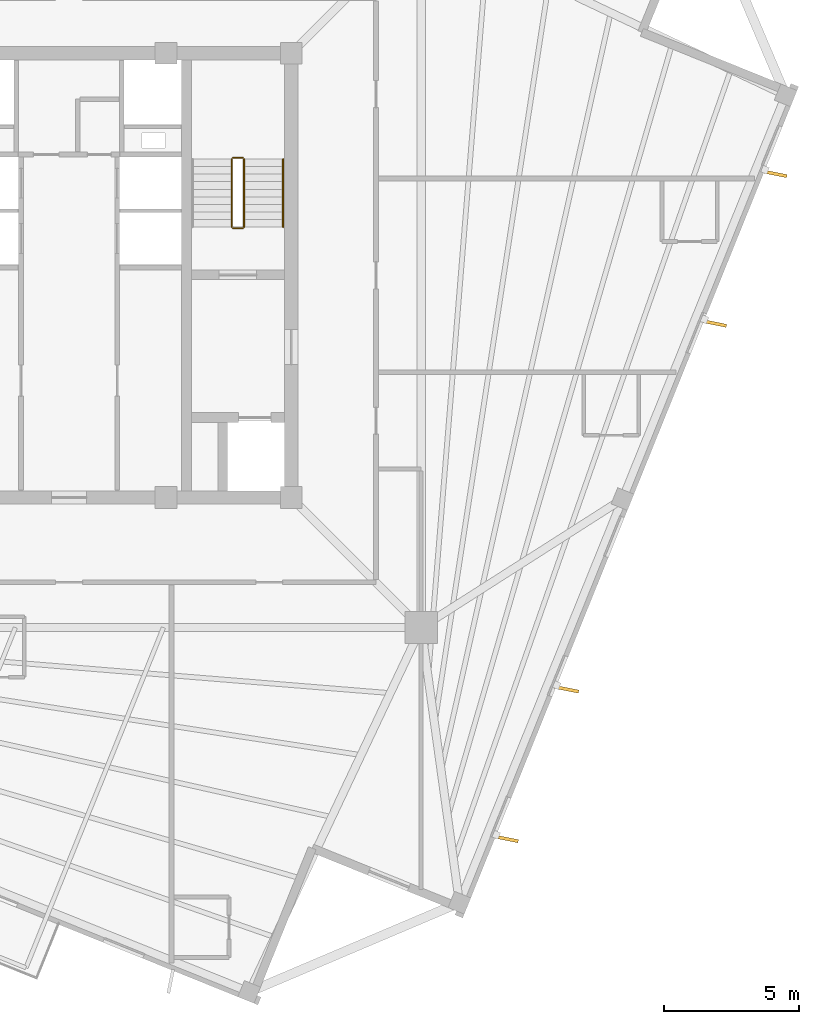
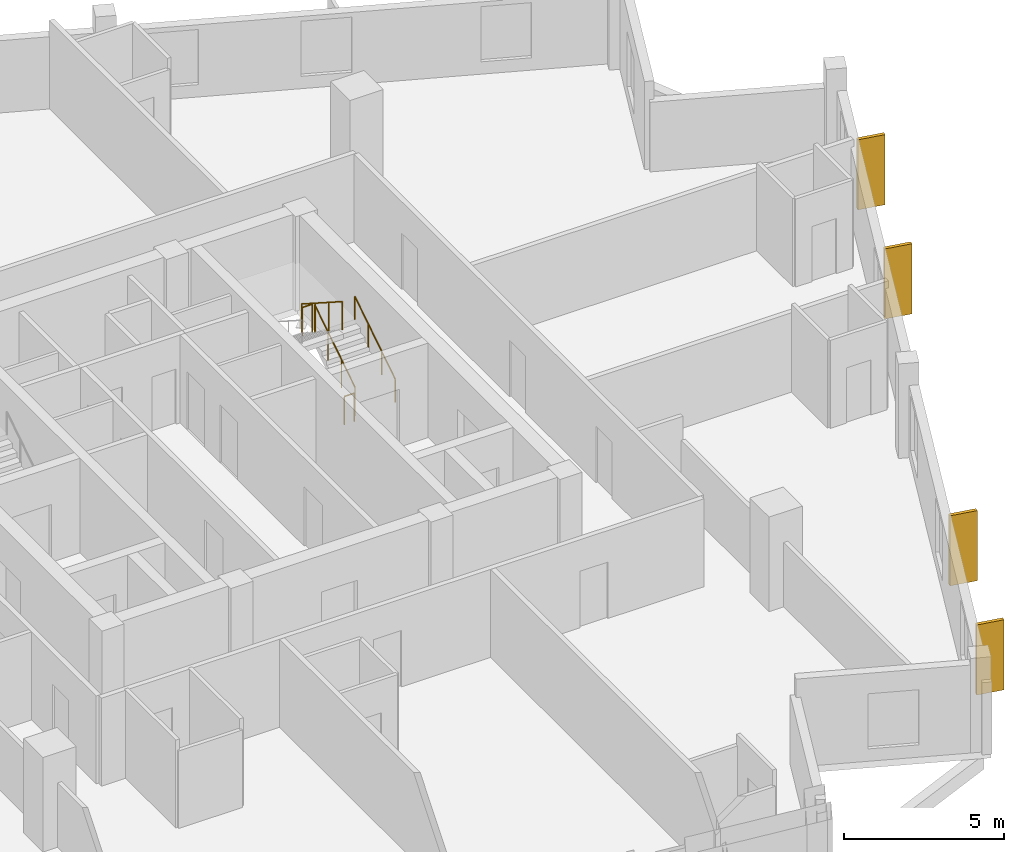
# One storey, part 7 of 8: 5 railings, 4 coverings.
"""IFC4 building model written with IfcOpenShell, lengths in metres."""

from ifc_helpers import new_model, si_unit, direction, frame, origin, origin_2d, place, context, subcontext, project, spatial, rectangle, circle, extrude, source, transform, mapped, material, layer, layer_set, type_object, element, save


model = new_model("IFC4")

# Units and contexts
model_context = context("Model", 3, precision=1e-05, world=origin(), true_north=direction((0.0, 1.0)))
body_context = subcontext(model_context, "Body", "Model", "MODEL_VIEW")
ifc_project = project(units=[si_unit("LENGTHUNIT", "METRE"), si_unit("AREAUNIT", "SQUARE_METRE"), si_unit("VOLUMEUNIT", "CUBIC_METRE"), si_unit("PLANEANGLEUNIT", "RADIAN"), si_unit("MASSUNIT", "GRAM", prefix="KILO"), si_unit("THERMODYNAMICTEMPERATUREUNIT", "KELVIN")], contexts=[model_context])

# Site, building, storey
site_placement = place(None, origin())
site = spatial("IfcSite", under=ifc_project, at=site_placement, CompositionType="ELEMENT")
building_placement = place(site_placement, origin())
building = spatial("IfcBuilding", under=site, at=building_placement, Name="Kosmvard Interchange Tower", CompositionType="ELEMENT")
storey_placement = place(building_placement, frame((0.0, 0.0, 265.199951171875)))
storey = spatial("IfcBuildingStorey", under=building, at=storey_placement, Name="L64", CompositionType="ELEMENT", Elevation=265.199951171875)

# Coverings
ifc_material_1 = material(Name="Architectural anodised aluminium", Category="aluminium")
ifc_layer = layer(ifc_material_1, 0.1201171875, Name="Architectural anodised aluminium")
ifc_layer_set = layer_set([ifc_layer], Name="Architectural anodised aluminium")
covering_type = type_object("IfcCoveringType", Name="Rotating Vertical Sun-Breaker Fin 900x120 Aluminium", PredefinedType="CLADDING", material=ifc_layer_set)
shared_shape_1 = source(origin(), body_context, "Body", "SweptSolid", [
    extrude(rectangle(XDim=0.89990234375, YDim=0.1201171875, at=origin_2d()), origin(), (0.0, 0.0, 1.0), 2.669921875),
])
for number, where, z_axis, x_axis, name in (
    (1, (16.2412109375, -20.932373046875, 0.0400390625), (0.0, 0.0, 1.0), (0.980236661978, -0.197828426963, 0.0), "L64 Rotating Vertical Sun-Breaker Fin 01"),
    (2, (18.4873046875, -15.373046875, 0.0400390625), (0.0, 0.0, 1.0), (0.980236661978, -0.197828426963, 0.0), "L64 Rotating Vertical Sun-Breaker Fin 02"),
    (3, (23.977783203125, -1.783935546875, 0.0400390625), (0.0, 0.0, 1.0), (0.980236661978, -0.197828426963, 0.0), "L64 Rotating Vertical Sun-Breaker Fin 03"),
    (4, (26.223876953125, 3.775390625, 0.0400390625), (0.0, 0.0, 1.0), (0.980236661978, -0.197828426963, 0.0), "L64 Rotating Vertical Sun-Breaker Fin 04"),
):
    element("IfcCovering", number, at=place(storey_placement, frame(where, z_axis=z_axis, x_axis=x_axis)), inside=storey, type_object=covering_type, Name=name, PredefinedType="CLADDING", context=body_context, shape_type="MappedRepresentation", body=[
        mapped(shared_shape_1, transform((0.0, 0.0, 0.0), scale=1.0)),
    ])

# Railings
ifc_material_2 = material(Name="Steel S355", Category="steel")
railing_type_1 = type_object("IfcRailingType", Name="Stair & Terrace Safety Guardrail 1100 Steel", PredefinedType="GUARDRAIL", material=ifc_material_2)
shared_shape_2 = source(origin(), body_context, "Body", "SweptSolid", [
    extrude(circle(Radius=0.02392578125, at=origin_2d()), frame((0.0, 0.0, 1.076171875), z_axis=(-1.0, 0.0, 0.0), x_axis=(0.0, -1.0, 0.0)), (0.0, 0.0, 1.0), 0.35986328125),
    extrude(circle(Radius=0.02099609375, at=origin_2d()), origin(), (0.0, 0.0, 1.0), 1.052001953125),
    extrude(circle(Radius=0.02099609375, at=origin_2d()), frame((-0.35986328125, 0.0, 0.0)), (0.0, 0.0, 1.0), 1.052001953125),
])
for number, where, name in (
    (5, (6.449951171875, 4.3701171875, 1.800048828125), "L64 ST-2 stair guard 2"),
    (6, (6.449951171875, 1.75, 0.0), "L64 ST-2 stair guard 4"),
):
    element("IfcRailing", number, at=place(storey_placement, frame(where)), inside=storey, type_object=railing_type_1, Name=name, PredefinedType="GUARDRAIL", context=body_context, shape_type="MappedRepresentation", body=[
        mapped(shared_shape_2, transform((0.0, 0.0, 0.0), scale=1.0)),
    ])
shared_shape_3 = source(origin(), body_context, "Body", "SweptSolid", [
    extrude(circle(Radius=0.02392578125, at=origin_2d()), frame((0.0, 0.0, 1.076171875), z_axis=(0.0, 0.841162588446, 0.540782303519), x_axis=(-1.0, 0.0, 0.0)), (0.0, 0.0, 1.0), 2.995849609375),
    extrude(circle(Radius=0.02099609375, at=origin_2d()), origin(), (0.0, 0.0, 1.0), 1.052001953125),
    extrude(circle(Radius=0.02099609375, at=origin_2d()), frame((0.0, 0.840087890625, 0.5400390625)), (0.0, 0.0, 1.0), 1.052001953125),
    extrude(circle(Radius=0.02099609375, at=origin_2d()), frame((0.0, 1.679931640625, 1.080078125)), (0.0, 0.0, 1.0), 1.052001953125),
    extrude(circle(Radius=0.02099609375, at=origin_2d()), frame((0.0, 2.52001953125, 1.6201171875)), (0.0, 0.0, 1.0), 1.052001953125),
])
railing_1_placement = place(storey_placement, frame((6.5, 1.800048828125, 0.179931640625)))
element("IfcRailing", 7, at=railing_1_placement, inside=storey, type_object=railing_type_1, Name="L64 ST-2 stair guard 1", PredefinedType="GUARDRAIL", context=body_context, shape_type="MappedRepresentation", body=[
    mapped(shared_shape_3, transform((0.0, 0.0, 0.0), scale=1.0)),
])
shared_shape_4 = source(origin(), body_context, "Body", "SweptSolid", [
    extrude(circle(Radius=0.02392578125, at=origin_2d()), frame((0.0, 0.0, 1.076171875), z_axis=(0.0, -0.841162588446, 0.540782303519), x_axis=(1.0, 0.0, 0.0)), (0.0, 0.0, 1.0), 2.995849609375),
    extrude(circle(Radius=0.02099609375, at=origin_2d()), origin(), (0.0, 0.0, 1.0), 1.052001953125),
    extrude(circle(Radius=0.02099609375, at=origin_2d()), frame((0.0, -0.840087890625, 0.5400390625)), (0.0, 0.0, 1.0), 1.052001953125),
    extrude(circle(Radius=0.02099609375, at=origin_2d()), frame((0.0, -1.679931640625, 1.080078125)), (0.0, 0.0, 1.0), 1.052001953125),
    extrude(circle(Radius=0.02099609375, at=origin_2d()), frame((0.0, -2.52001953125, 1.6201171875)), (0.0, 0.0, 1.0), 1.052001953125),
])
railing_2_placement = place(storey_placement, frame((6.0400390625, 4.320068359375, 1.97998046875)))
element("IfcRailing", 8, at=railing_2_placement, inside=storey, type_object=railing_type_1, Name="L64 ST-2 stair guard 3", PredefinedType="GUARDRAIL", context=body_context, shape_type="MappedRepresentation", body=[
    mapped(shared_shape_4, transform((0.0, 0.0, 0.0), scale=1.0)),
])
railing_type_2 = type_object("IfcRailingType", Name="Wall-Mounted Stair Handrail 900 Steel", PredefinedType="HANDRAIL", material=ifc_material_2)
shared_shape_5 = source(origin(), body_context, "Body", "SweptSolid", [
    extrude(circle(Radius=0.02392578125, at=origin_2d()), frame((0.0, 0.0, 0.8759765625), z_axis=(0.0, 0.841162588446, 0.540782303519), x_axis=(-1.0, 0.0, 0.0)), (0.0, 0.0, 1.0), 2.995849609375),
    extrude(circle(Radius=0.02099609375, at=origin_2d()), origin(), (0.0, 0.0, 1.0), 0.851806640625),
    extrude(circle(Radius=0.02099609375, at=origin_2d()), frame((0.0, 0.840087890625, 0.5400390625)), (0.0, 0.0, 1.0), 0.851806640625),
    extrude(circle(Radius=0.02099609375, at=origin_2d()), frame((0.0, 1.679931640625, 1.080078125)), (0.0, 0.0, 1.0), 0.851806640625),
    extrude(circle(Radius=0.02099609375, at=origin_2d()), frame((0.0, 2.52001953125, 1.6201171875)), (0.0, 0.0, 1.0), 0.851806640625),
])
railing_3_placement = place(storey_placement, frame((7.949951171875, 1.800048828125, 0.179931640625)))
element("IfcRailing", 9, at=railing_3_placement, inside=storey, type_object=railing_type_2, Name="L64 ST-2 stair handrail 1", PredefinedType="HANDRAIL", context=body_context, shape_type="MappedRepresentation", body=[
    mapped(shared_shape_5, transform((0.0, 0.0, 0.0), scale=1.0)),
])

save(model, "model.ifc")
